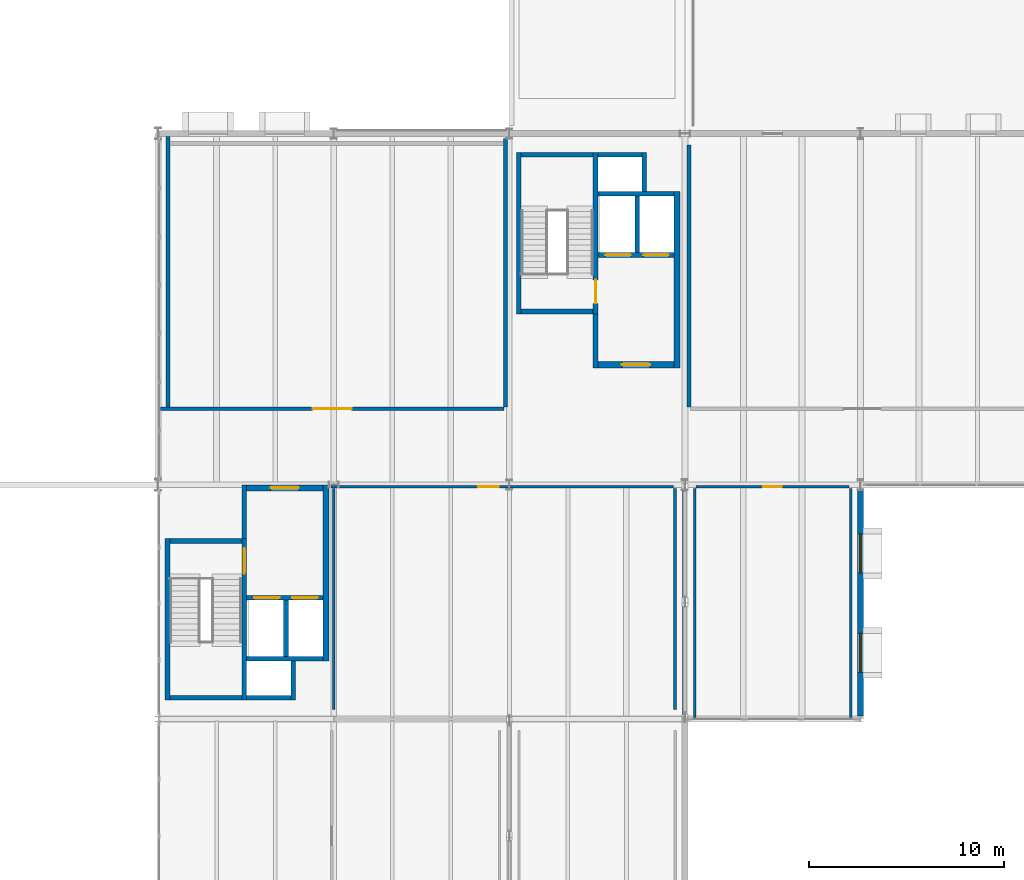
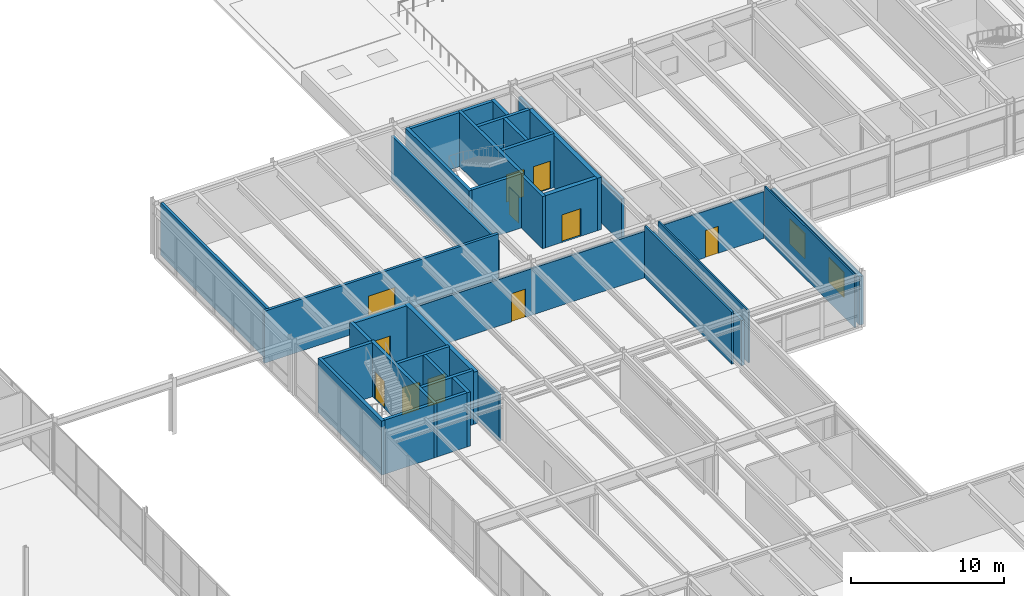
# One storey, part 108 of 115: 36 walls, 11 doors, 2 windows, 13 openings.
"""IFC4 building model written with IfcOpenShell, lengths in metres."""

from ifc_helpers import new_model, si_unit, direction, frame, frame_2d, origin, place, context, subcontext, project, spatial, rectangle, extrude, material, layer, layer_set, type_object, element, fill, save


model = new_model("IFC4")

# Units and contexts
model_context = context("Model", 3, precision=1e-05, world=origin(), true_north=direction((0.0, 1.0)))
body_context = subcontext(model_context, "Body", "Model", "MODEL_VIEW")
ifc_project = project(units=[si_unit("LENGTHUNIT", "METRE"), si_unit("AREAUNIT", "SQUARE_METRE"), si_unit("VOLUMEUNIT", "CUBIC_METRE"), si_unit("PLANEANGLEUNIT", "RADIAN"), si_unit("MASSUNIT", "GRAM", prefix="KILO")], contexts=[model_context])

# Site, building, storey
site_placement = place(None, origin())
site = spatial("IfcSite", under=ifc_project, at=site_placement, CompositionType="ELEMENT")
building_placement = place(site_placement, origin())
building = spatial("IfcBuilding", under=site, at=building_placement, Name="Montelvaro Courts of Justice", CompositionType="ELEMENT")
storey_placement = place(building_placement, frame((0.0, 0.0, 9.89990234375)))
storey = spatial("IfcBuildingStorey", under=building, at=storey_placement, Name="L02", CompositionType="ELEMENT", Elevation=9.89990234375)

# Wall
ifc_material_1 = material(Name="Gypsum board on metal stud")
ifc_layer_1 = layer(ifc_material_1, 0.14990234375)
ifc_layer_set_1 = layer_set([ifc_layer_1], Name="Gypsum board on metal stud")
wall_type_1 = type_object("IfcWallType", Name="ChambersPartition_150", PredefinedType="PARTITIONING", material=ifc_layer_set_1)
wall_1_placement = place(storey_placement, frame((108.0, 66.47998046875, 0.0), z_axis=(0.0, 0.0, 1.0), x_axis=(0.0, 1.0, 0.0)))
element("IfcWall", 1, at=wall_1_placement, inside=storey, type_object=wall_type_1, Name="Interior Partition IW-04 (L02)", PredefinedType="PARTITIONING", context=body_context, shape_type="SweptSolid", body=[
    extrude(rectangle(XDim=11.340087890625, YDim=0.14990234375, at=frame_2d((5.669921875, 0.0))), origin(), (0.0, 0.0, 1.0), 3.705078125),
])

# Wall, opening, door
wall_2_placement = place(storey_placement, frame((107.847900390625, 77.89990234375, 0.0), z_axis=(0.0, 0.0, 1.0), x_axis=(1.0, 0.0, 0.0)))
wall_2 = element("IfcWall", 2, at=wall_2_placement, inside=storey, type_object=wall_type_1, Name="Interior Partition IW-04 (L02)", PredefinedType="PARTITIONING", context=body_context, shape_type="SweptSolid", body=[
    extrude(rectangle(XDim=17.572021484375, YDim=0.14990234375, at=frame_2d((8.7861328125, 0.0))), origin(), (0.0, 0.0, 1.0), 3.705078125),
])
opening_1_placement = place(wall_2_placement, frame((7.55810546875, 0.0, 0.0)))
opening_1 = element("IfcOpeningElement", 3, at=opening_1_placement, cuts=wall_2, Name="Opening D-L02-089", PredefinedType="OPENING", context=body_context, shape_type="SweptSolid", body=[
    extrude(rectangle(XDim=1.050048828125, YDim=2.25, at=frame_2d((0.52490234375, 1.125))), frame((0.0, 0.08984375, 0.0), z_axis=(0.0, -1.0, 0.0), x_axis=(1.0, 0.0, 0.0)), (0.0, 0.0, 1.0), 0.1796875),
])
ifc_material_2 = material(Name="Acoustic oak timber veneer", Category="wood")
door_type_1 = type_object("IfcDoorType", Name="ChamberDoor_105x225", OperationType="NOTDEFINED", PredefinedType="DOOR", material=ifc_material_2)
door_1_placement = place(opening_1_placement, frame((1.050048828125, 0.0, 0.0), z_axis=(0.0, 0.0, 1.0), x_axis=(-1.0, 0.0, 0.0)))
door_1 = element("IfcDoor", 4, at=door_1_placement, inside=storey, type_object=door_type_1, Name="Interior Door D-L02-089 (Witness Waiting Lounge L02)", OperationType="SINGLE_SWING_LEFT", OverallHeight=2.25, OverallWidth=1.050048828125, PredefinedType="DOOR", context=body_context, shape_type="SweptSolid", body=[
    extrude(rectangle(XDim=1.050048828125, YDim=2.25, at=frame_2d((0.52490234375, 1.125))), frame((0.0, 0.02490234375, 0.0), z_axis=(0.0, -1.0, 0.0), x_axis=(1.0, 0.0, 0.0)), (0.0, 0.0, 1.0), 0.050048828125),
])
fill(opening_1, door_1)

# Wall
wall_3_placement = place(storey_placement, frame((125.5, 77.820068359375, 0.0), z_axis=(0.0, 0.0, 1.0), x_axis=(0.0, -1.0, 0.0)))
element("IfcWall", 5, at=wall_3_placement, inside=storey, type_object=wall_type_1, Name="Interior Partition IW-04 (L02)", PredefinedType="PARTITIONING", context=body_context, shape_type="SweptSolid", body=[
    extrude(rectangle(XDim=11.340087890625, YDim=0.14990234375, at=frame_2d((5.669921875, 0.0))), origin(), (0.0, 0.0, 1.0), 4.14013671875),
])

# Wall, opening, door
ifc_material_3 = material(Name="Concrete C40/50", Category="concrete")
ifc_layer_2 = layer(ifc_material_3, 0.320068359375)
ifc_layer_set_2 = layer_set([ifc_layer_2], Name="Concrete C40/50")
wall_type_2 = type_object("IfcWallType", Name="CoreWall_320", PredefinedType="SHEAR", material=ifc_layer_set_2)
wall_4_placement = place(storey_placement, frame((121.5400390625, 84.159912109375, 0.0), z_axis=(0.0, 0.0, 1.0), x_axis=(1.0, 0.0, 0.0)))
wall_4 = element("IfcWall", 6, at=wall_4_placement, inside=storey, type_object=wall_type_2, Name="Core Shear Wall CW-02 K3-S (L02)", PredefinedType="SHEAR", context=body_context, shape_type="SweptSolid", body=[
    extrude(rectangle(XDim=3.89990234375, YDim=0.320068359375, at=frame_2d((1.949951171875, 0.0))), origin(), (0.0, 0.0, 1.0), 4.16015625),
])
opening_2_placement = place(wall_4_placement, frame((1.22509765625, 0.0, 0.0)))
opening_2 = element("IfcOpeningElement", 7, at=opening_2_placement, cuts=wall_4, Name="Opening DL-L02-K3", PredefinedType="OPENING", context=body_context, shape_type="SweptSolid", body=[
    extrude(rectangle(XDim=1.449951171875, YDim=2.199951171875, at=frame_2d((0.72509765625, 1.10009765625))), frame((0.0, 0.1748046875, 0.0), z_axis=(0.0, -1.0, 0.0), x_axis=(1.0, 0.0, 0.0)), (0.0, 0.0, 1.0), 0.349853515625),
])
ifc_material_4 = material(Name="Galvanised steel S355 security door", Category="steel")
door_type_2 = type_object("IfcDoorType", Name="LobbyFireDoor_145x220", OperationType="DOUBLE_DOOR_SINGLE_SWING", PredefinedType="DOOR", material=ifc_material_4)
door_2_placement = place(opening_2_placement, origin())
door_2 = element("IfcDoor", 8, at=door_2_placement, inside=storey, type_object=door_type_2, Name="Core Lobby Fire Door DL-L02-K3", OperationType="DOUBLE_DOOR_SINGLE_SWING", OverallHeight=2.199951171875, OverallWidth=1.449951171875, PredefinedType="DOOR", context=body_context, shape_type="SweptSolid", body=[
    extrude(rectangle(XDim=1.449951171875, YDim=2.199951171875, at=frame_2d((0.72509765625, 1.10009765625))), frame((0.0, 0.02490234375, 0.0), z_axis=(0.0, -1.0, 0.0), x_axis=(1.0, 0.0, 0.0)), (0.0, 0.0, 1.0), 0.050048828125),
])
fill(opening_2, door_2)

# Wall
wall_5_placement = place(storey_placement, frame((125.60009765625, 84.0, 0.0), z_axis=(0.0, 0.0, 1.0), x_axis=(0.0, 1.0, 0.0)))
element("IfcWall", 9, at=wall_5_placement, inside=storey, type_object=wall_type_2, Name="Core Shear Wall CW-02 K3-E (L02)", PredefinedType="SHEAR", context=body_context, shape_type="SweptSolid", body=[
    extrude(rectangle(XDim=9.0400390625, YDim=0.320068359375, at=frame_2d((4.52001953125, 0.0))), origin(), (0.0, 0.0, 1.0), 4.16015625),
])

# Wall, opening, door
wall_6_placement = place(storey_placement, frame((103.5400390625, 77.840087890625, 0.0), z_axis=(0.0, 0.0, 1.0), x_axis=(1.0, 0.0, 0.0)))
wall_6 = element("IfcWall", 10, at=wall_6_placement, inside=storey, type_object=wall_type_2, Name="Core Shear Wall CW-02 K4-N (L02)", PredefinedType="SHEAR", context=body_context, shape_type="SweptSolid", body=[
    extrude(rectangle(XDim=3.89990234375, YDim=0.320068359375, at=frame_2d((1.949951171875, 0.0))), origin(), (0.0, 0.0, 1.0), 4.16015625),
])
opening_3_placement = place(wall_6_placement, frame((1.22509765625, 0.0, 0.0)))
opening_3 = element("IfcOpeningElement", 11, at=opening_3_placement, cuts=wall_6, Name="Opening DL-L02-K4", PredefinedType="OPENING", context=body_context, shape_type="SweptSolid", body=[
    extrude(rectangle(XDim=1.449951171875, YDim=2.199951171875, at=frame_2d((0.72509765625, 1.10009765625))), frame((0.0, 0.1748046875, 0.0), z_axis=(0.0, -1.0, 0.0), x_axis=(1.0, 0.0, 0.0)), (0.0, 0.0, 1.0), 0.349853515625),
])
door_3_placement = place(opening_3_placement, origin())
door_3 = element("IfcDoor", 12, at=door_3_placement, inside=storey, type_object=door_type_2, Name="Core Lobby Fire Door DL-L02-K4", OperationType="DOUBLE_DOOR_SINGLE_SWING", OverallHeight=2.199951171875, OverallWidth=1.449951171875, PredefinedType="DOOR", context=body_context, shape_type="SweptSolid", body=[
    extrude(rectangle(XDim=1.449951171875, YDim=2.199951171875, at=frame_2d((0.72509765625, 1.10009765625))), frame((0.0, 0.02490234375, 0.0), z_axis=(0.0, -1.0, 0.0), x_axis=(1.0, 0.0, 0.0)), (0.0, 0.0, 1.0), 0.050048828125),
])
fill(opening_3, door_3)

# Wall
wall_7_placement = place(storey_placement, frame((107.60009765625, 68.9599609375, 0.0), z_axis=(0.0, 0.0, 1.0), x_axis=(0.0, 1.0, 0.0)))
element("IfcWall", 13, at=wall_7_placement, inside=storey, type_object=wall_type_2, Name="Core Shear Wall CW-02 K4-E (L02)", PredefinedType="SHEAR", context=body_context, shape_type="SweptSolid", body=[
    extrude(rectangle(XDim=9.0400390625, YDim=0.320068359375, at=frame_2d((4.52001953125, 0.0))), origin(), (0.0, 0.0, 1.0), 4.16015625),
])

# Wall, opening, door
ifc_material_5 = material(Name="Gypsum acoustic double stud with mineral wool")
ifc_layer_3 = layer(ifc_material_5, 0.199951171875)
ifc_layer_set_3 = layer_set([ifc_layer_3], Name="Gypsum acoustic double stud with mineral wool")
wall_type_3 = type_object("IfcWallType", Name="CourtAcousticWall_200", PredefinedType="PARTITIONING", material=ifc_layer_set_3)
wall_8_placement = place(storey_placement, frame((116.719970703125, 81.89990234375, 0.0), z_axis=(0.0, 0.0, 1.0), x_axis=(-1.0, 0.0, 0.0)))
wall_8 = element("IfcWall", 14, at=wall_8_placement, inside=storey, type_object=wall_type_3, Name="Interior Partition IW-01 (L02)", PredefinedType="PARTITIONING", context=body_context, shape_type="SweptSolid", body=[
    extrude(rectangle(XDim=17.594970703125, YDim=0.199951171875, at=frame_2d((8.79736328125, 0.0))), origin(), (0.0, 0.0, 1.0), 4.14013671875),
])
opening_4_placement = place(wall_8_placement, frame((7.797119140625, 0.0, 0.0)))
opening_4 = element("IfcOpeningElement", 15, at=opening_4_placement, cuts=wall_8, Name="Opening D-L02-086", PredefinedType="OPENING", context=body_context, shape_type="SweptSolid", body=[
    extrude(rectangle(XDim=2.0, YDim=2.60009765625, at=frame_2d((1.0, 1.300048828125))), frame((0.0, 0.11474609375, 0.0), z_axis=(0.0, -1.0, 0.0), x_axis=(1.0, 0.0, 0.0)), (0.0, 0.0, 1.0), 0.229736328125),
])
door_type_3 = type_object("IfcDoorType", Name="CourtDoor_200x260", OperationType="DOUBLE_DOOR_SINGLE_SWING", PredefinedType="DOOR", material=ifc_material_2)
door_4_placement = place(opening_4_placement, origin())
door_4 = element("IfcDoor", 16, at=door_4_placement, inside=storey, type_object=door_type_3, Name="Interior Door D-L02-086 (Civil First Instance Courtroom 07)", OperationType="DOUBLE_DOOR_SINGLE_SWING", OverallHeight=2.60009765625, OverallWidth=2.0, PredefinedType="DOOR", context=body_context, shape_type="SweptSolid", body=[
    extrude(rectangle(XDim=2.0, YDim=2.60009765625, at=frame_2d((1.0, 1.300048828125))), frame((0.0, 0.02490234375, 0.0), z_axis=(0.0, -1.0, 0.0), x_axis=(1.0, 0.0, 0.0)), (0.0, 0.0, 1.0), 0.050048828125),
])
fill(opening_4, door_4)

# Walls
wall_9_placement = place(storey_placement, frame((99.5, 81.97998046875, 0.0), z_axis=(0.0, 0.0, 1.0), x_axis=(0.0, 1.0, 0.0)))
element("IfcWall", 17, at=wall_9_placement, inside=storey, type_object=wall_type_3, Name="Interior Partition IW-01 (L02)", PredefinedType="PARTITIONING", context=body_context, shape_type="SweptSolid", body=[
    extrude(rectangle(XDim=13.875, YDim=0.199951171875, at=frame_2d((6.9375, 0.0))), origin(), (0.0, 0.0, 1.0), 4.14013671875),
])
wall_10_placement = place(storey_placement, frame((116.800048828125, 95.751953125, 0.0), z_axis=(0.0, 0.0, 1.0), x_axis=(0.0, -1.0, 0.0)))
element("IfcWall", 18, at=wall_10_placement, inside=storey, type_object=wall_type_3, Name="Interior Partition IW-01 (L02)", PredefinedType="PARTITIONING", context=body_context, shape_type="SweptSolid", body=[
    extrude(rectangle(XDim=13.77197265625, YDim=0.199951171875, at=frame_2d((6.885986328125, 0.0))), origin(), (0.0, 0.0, 1.0), 3.4951171875),
])
wall_11_placement = place(storey_placement, frame((126.199951171875, 81.97998046875, 0.0), z_axis=(0.0, 0.0, 1.0), x_axis=(0.0, 1.0, 0.0)))
element("IfcWall", 19, at=wall_11_placement, inside=storey, type_object=wall_type_3, Name="Interior Partition IW-01 (L02)", PredefinedType="PARTITIONING", context=body_context, shape_type="SweptSolid", body=[
    extrude(rectangle(XDim=13.43994140625, YDim=0.199951171875, at=frame_2d((6.719970703125, 0.0))), origin(), (0.0, 0.0, 1.0), 3.505126953125),
])

# Wall, openings, windows
ifc_material_6 = material(Name="White mineral precast concrete C45/55", Category="concrete")
ifc_layer_4 = layer(ifc_material_6, 0.300048828125)
ifc_layer_set_4 = layer_set([ifc_layer_4], Name="White mineral precast concrete C45/55")
wall_type_4 = type_object("IfcWallType", Name="ExtWall_GFRC_300", PredefinedType="SOLIDWALL", material=ifc_layer_set_4)
wall_12_placement = place(storey_placement, frame((135.0, 66.14794921875, 0.0), z_axis=(0.0, 0.0, 1.0), x_axis=(0.0, 1.0, 0.0)))
wall_12 = element("IfcWall", 20, at=wall_12_placement, inside=storey, type_object=wall_type_4, Name="Exterior Facade Wall EW-02 (L02)", PredefinedType="SOLIDWALL", context=body_context, shape_type="SweptSolid", body=[
    extrude(rectangle(XDim=11.5791015625, YDim=0.300048828125, at=frame_2d((5.78955078125, 0.0))), origin(), (0.0, 0.0, 1.0), 3.84521484375),
])
opening_5_placement = place(wall_12_placement, frame((2.241943359375, 0.0, 0.800048828125)))
opening_5 = element("IfcOpeningElement", 21, at=opening_5_placement, cuts=wall_12, Name="Opening WE-11", PredefinedType="OPENING", context=body_context, shape_type="SweptSolid", body=[
    extrude(rectangle(XDim=2.0, YDim=2.0, at=frame_2d((1.0, 1.0))), frame((0.0, 0.1650390625, 0.0), z_axis=(0.0, -1.0, 0.0), x_axis=(1.0, 0.0, 0.0)), (0.0, 0.0, 1.0), 0.329833984375),
])
opening_6_placement = place(wall_12_placement, frame((7.3369140625, 0.0, 0.800048828125)))
opening_6 = element("IfcOpeningElement", 22, at=opening_6_placement, cuts=wall_12, Name="Opening WE-11", PredefinedType="OPENING", context=body_context, shape_type="SweptSolid", body=[
    extrude(rectangle(XDim=2.0, YDim=2.0, at=frame_2d((1.0, 1.0))), frame((0.0, 0.1650390625, 0.0), z_axis=(0.0, -1.0, 0.0), x_axis=(1.0, 0.0, 0.0)), (0.0, 0.0, 1.0), 0.329833984375),
])
ifc_material_7 = material(Name="Low-E solar control double glazing", Category="glass")
window_type = type_object("IfcWindowType", Name="Win_Sq_200x200", PartitioningType="SINGLE_PANEL", PredefinedType="WINDOW", material=ifc_material_7)
window_1_placement = place(opening_5_placement, origin())
window_1 = element("IfcWindow", 23, at=window_1_placement, inside=storey, type_object=window_type, Name="Window W-L02-095", OverallHeight=2.0, OverallWidth=2.0, PartitioningType="SINGLE_PANEL", PredefinedType="WINDOW", context=body_context, shape_type="SweptSolid", body=[
    extrude(rectangle(XDim=2.0, YDim=2.0, at=frame_2d((1.0, 1.0))), frame((0.0, 0.030029296875, 0.0), z_axis=(0.0, -1.0, 0.0), x_axis=(1.0, 0.0, 0.0)), (0.0, 0.0, 1.0), 0.06005859375),
])
fill(opening_5, window_1)
window_2_placement = place(opening_6_placement, origin())
window_2 = element("IfcWindow", 24, at=window_2_placement, inside=storey, type_object=window_type, Name="Window W-L02-096", OverallHeight=2.0, OverallWidth=2.0, PartitioningType="SINGLE_PANEL", PredefinedType="WINDOW", context=body_context, shape_type="SweptSolid", body=[
    extrude(rectangle(XDim=2.0, YDim=2.0, at=frame_2d((1.0, 1.0))), frame((0.0, 0.030029296875, 0.0), z_axis=(0.0, -1.0, 0.0), x_axis=(1.0, 0.0, 0.0)), (0.0, 0.0, 1.0), 0.06005859375),
])
fill(opening_6, window_2)

# Wall
ifc_layer_5 = layer(ifc_material_1, 0.1201171875)
ifc_layer_set_5 = layer_set([ifc_layer_5], Name="Gypsum board on metal stud")
wall_type_5 = type_object("IfcWallType", Name="OfficePartition_120", PredefinedType="PARTITIONING", material=ifc_layer_set_5)
wall_13_placement = place(storey_placement, frame((126.5, 66.074951171875, 0.0), z_axis=(0.0, 0.0, 1.0), x_axis=(0.0, 1.0, 0.0)))
element("IfcWall", 25, at=wall_13_placement, inside=storey, type_object=wall_type_5, Name="Interior Partition IW-05 (L02)", PredefinedType="PARTITIONING", context=body_context, shape_type="SweptSolid", body=[
    extrude(rectangle(XDim=11.7451171875, YDim=0.1201171875, at=frame_2d((5.87255859375, 0.0))), origin(), (0.0, 0.0, 1.0), 4.14013671875),
])

# Wall, opening, door
wall_14_placement = place(storey_placement, frame((126.580078125, 77.89990234375, 0.0), z_axis=(0.0, 0.0, 1.0), x_axis=(1.0, 0.0, 0.0)))
wall_14 = element("IfcWall", 26, at=wall_14_placement, inside=storey, type_object=wall_type_5, Name="Interior Partition IW-05 (L02)", PredefinedType="PARTITIONING", context=body_context, shape_type="SweptSolid", body=[
    extrude(rectangle(XDim=7.83984375, YDim=0.1201171875, at=frame_2d((3.919921875, 0.0))), origin(), (0.0, 0.0, 1.0), 3.705078125),
])
opening_7_placement = place(wall_14_placement, frame((3.445068359375, 0.0, 0.0)))
opening_7 = element("IfcOpeningElement", 27, at=opening_7_placement, cuts=wall_14, Name="Opening D-L02-090", PredefinedType="OPENING", context=body_context, shape_type="SweptSolid", body=[
    extrude(rectangle(XDim=0.949951171875, YDim=2.14990234375, at=frame_2d((0.47509765625, 1.074951171875))), frame((0.0, 0.074951171875, 0.0), z_axis=(0.0, -1.0, 0.0), x_axis=(1.0, 0.0, 0.0)), (0.0, 0.0, 1.0), 0.14990234375),
])
door_type_4 = type_object("IfcDoorType", Name="OfficeDoor_095x215", OperationType="NOTDEFINED", PredefinedType="DOOR", material=ifc_material_2)
door_5_placement = place(opening_7_placement, origin())
door_5 = element("IfcDoor", 28, at=door_5_placement, inside=storey, type_object=door_type_4, Name="Interior Door D-L02-090 (Commercial Mediation Waiting Room L02)", OperationType="SINGLE_SWING_RIGHT", OverallHeight=2.14990234375, OverallWidth=0.949951171875, PredefinedType="DOOR", context=body_context, shape_type="SweptSolid", body=[
    extrude(rectangle(XDim=0.949951171875, YDim=2.14990234375, at=frame_2d((0.47509765625, 1.074951171875))), frame((0.0, 0.02490234375, 0.0), z_axis=(0.0, -1.0, 0.0), x_axis=(1.0, 0.0, 0.0)), (0.0, 0.0, 1.0), 0.050048828125),
])
fill(opening_7, door_5)

# Walls
wall_15_placement = place(storey_placement, frame((134.5, 77.820068359375, 0.0), z_axis=(0.0, 0.0, 1.0), x_axis=(0.0, -1.0, 0.0)))
element("IfcWall", 29, at=wall_15_placement, inside=storey, type_object=wall_type_5, Name="Interior Partition IW-05 (L02)", PredefinedType="PARTITIONING", context=body_context, shape_type="SweptSolid", body=[
    extrude(rectangle(XDim=11.7451171875, YDim=0.1201171875, at=frame_2d((5.87255859375, 0.0))), origin(), (0.0, 0.0, 1.0), 4.14013671875),
])
ifc_material_8 = material(Name="Concrete C35/45", Category="concrete")
ifc_layer_6 = layer(ifc_material_8, 0.239990234375)
ifc_layer_set_6 = layer_set([ifc_layer_6], Name="Concrete C35/45")
wall_type_6 = type_object("IfcWallType", Name="ShaftWall_240", PredefinedType="SHEAR", material=ifc_layer_set_6)
wall_16_placement = place(storey_placement, frame((117.47998046875, 86.760009765625, 0.0), z_axis=(0.0, 0.0, 1.0), x_axis=(0.0, 1.0, 0.0)))
element("IfcWall", 30, at=wall_16_placement, inside=storey, type_object=wall_type_6, Name="Protected Stair Structural Wall ST-K3-W (L02)", PredefinedType="SHEAR", context=body_context, shape_type="SweptSolid", body=[
    extrude(rectangle(XDim=8.280029296875, YDim=0.239990234375, at=frame_2d((4.14013671875, 0.0))), origin(), (0.0, 0.0, 1.0), 4.31005859375),
])

# Wall, opening, door
wall_17_placement = place(storey_placement, frame((121.419921875, 86.760009765625, 0.0), z_axis=(0.0, 0.0, 1.0), x_axis=(0.0, 1.0, 0.0)))
wall_17 = element("IfcWall", 31, at=wall_17_placement, inside=storey, type_object=wall_type_6, Name="Protected Stair Structural Wall ST-K3-E (L02)", PredefinedType="SHEAR", context=body_context, shape_type="SweptSolid", body=[
    extrude(rectangle(XDim=8.280029296875, YDim=0.239990234375, at=frame_2d((4.14013671875, 0.0))), origin(), (0.0, 0.0, 1.0), 4.31005859375),
])
opening_8_placement = place(wall_17_placement, frame((0.5400390625, 0.0, 0.0)))
opening_8 = element("IfcOpeningElement", 32, at=opening_8_placement, cuts=wall_17, Name="Opening DS-L02-K3", PredefinedType="OPENING", context=body_context, shape_type="SweptSolid", body=[
    extrude(rectangle(XDim=1.199951171875, YDim=2.14990234375, at=frame_2d((0.60009765625, 1.074951171875))), frame((0.0, 0.134765625, 0.0), z_axis=(0.0, -1.0, 0.0), x_axis=(1.0, 0.0, 0.0)), (0.0, 0.0, 1.0), 0.269775390625),
])
door_type_5 = type_object("IfcDoorType", Name="StairFireDoor_120x215", OperationType="NOTDEFINED", PredefinedType="DOOR", material=ifc_material_4)
door_6_placement = place(opening_8_placement, frame((1.199951171875, 0.0, 0.0), z_axis=(0.0, 0.0, 1.0), x_axis=(-1.0, 0.0, 0.0)))
door_6 = element("IfcDoor", 33, at=door_6_placement, inside=storey, type_object=door_type_5, Name="Protected Stair Fire Door DS-L02-K3", OperationType="SINGLE_SWING_RIGHT", OverallHeight=2.14990234375, OverallWidth=1.199951171875, PredefinedType="DOOR", context=body_context, shape_type="SweptSolid", body=[
    extrude(rectangle(XDim=1.199951171875, YDim=2.14990234375, at=frame_2d((0.60009765625, 1.074951171875))), frame((0.0, 0.02490234375, 0.0), z_axis=(0.0, -1.0, 0.0), x_axis=(1.0, 0.0, 0.0)), (0.0, 0.0, 1.0), 0.050048828125),
])
fill(opening_8, door_6)

# Walls
for number, where, z_axis, x_axis, name in (
    (34, (117.60009765625, 86.8798828125, 0.0), (0.0, 0.0, 1.0), (1.0, 0.0, 0.0), "Protected Stair Structural Wall ST-K3-S (L02)"),
    (35, (117.60009765625, 94.919921875, 0.0), (0.0, 0.0, 1.0), (1.0, 0.0, 0.0), "Protected Stair Structural Wall ST-K3-N (L02)"),
):
    element("IfcWall", number, at=place(storey_placement, frame(where, z_axis=z_axis, x_axis=x_axis)), inside=storey, type_object=wall_type_6, Name=name, PredefinedType="SHEAR", context=body_context, shape_type="SweptSolid", body=[
        extrude(rectangle(XDim=3.699951171875, YDim=0.239990234375, at=frame_2d((1.85009765625, 0.0))), origin(), (0.0, 0.0, 1.0), 4.31005859375),
    ])
wall_18_placement = place(storey_placement, frame((99.47998046875, 66.9599609375, 0.0), z_axis=(0.0, 0.0, 1.0), x_axis=(0.0, 1.0, 0.0)))
element("IfcWall", 36, at=wall_18_placement, inside=storey, type_object=wall_type_6, Name="Protected Stair Structural Wall ST-K4-W (L02)", PredefinedType="SHEAR", context=body_context, shape_type="SweptSolid", body=[
    extrude(rectangle(XDim=8.280029296875, YDim=0.239990234375, at=frame_2d((4.14013671875, 0.0))), origin(), (0.0, 0.0, 1.0), 4.31005859375),
])

# Wall, opening, door
wall_19_placement = place(storey_placement, frame((103.419921875, 66.9599609375, 0.0), z_axis=(0.0, 0.0, 1.0), x_axis=(0.0, 1.0, 0.0)))
wall_19 = element("IfcWall", 37, at=wall_19_placement, inside=storey, type_object=wall_type_6, Name="Protected Stair Structural Wall ST-K4-E (L02)", PredefinedType="SHEAR", context=body_context, shape_type="SweptSolid", body=[
    extrude(rectangle(XDim=8.280029296875, YDim=0.239990234375, at=frame_2d((4.14013671875, 0.0))), origin(), (0.0, 0.0, 1.0), 4.31005859375),
])
opening_9_placement = place(wall_19_placement, frame((6.489990234375, 0.0, 0.0)))
opening_9 = element("IfcOpeningElement", 38, at=opening_9_placement, cuts=wall_19, Name="Opening DS-L02-K4", PredefinedType="OPENING", context=body_context, shape_type="SweptSolid", body=[
    extrude(rectangle(XDim=1.300048828125, YDim=2.199951171875, at=frame_2d((0.64990234375, 1.10009765625))), frame((0.0, 0.134765625, 0.0), z_axis=(0.0, -1.0, 0.0), x_axis=(1.0, 0.0, 0.0)), (0.0, 0.0, 1.0), 0.269775390625),
])
door_type_6 = type_object("IfcDoorType", Name="StairFireDoor_130x220", OperationType="NOTDEFINED", PredefinedType="DOOR", material=ifc_material_4)
door_7_placement = place(opening_9_placement, frame((1.300048828125, 0.0, 0.0), z_axis=(0.0, 0.0, 1.0), x_axis=(-1.0, 0.0, 0.0)))
door_7 = element("IfcDoor", 39, at=door_7_placement, inside=storey, type_object=door_type_6, Name="Protected Stair Fire Door DS-L02-K4", OperationType="SINGLE_SWING_LEFT", OverallHeight=2.199951171875, OverallWidth=1.300048828125, PredefinedType="DOOR", context=body_context, shape_type="SweptSolid", body=[
    extrude(rectangle(XDim=1.300048828125, YDim=2.199951171875, at=frame_2d((0.64990234375, 1.10009765625))), frame((0.0, 0.02490234375, 0.0), z_axis=(0.0, -1.0, 0.0), x_axis=(1.0, 0.0, 0.0)), (0.0, 0.0, 1.0), 0.050048828125),
])
fill(opening_9, door_7)

# Walls
for number, where, z_axis, x_axis, name in (
    (40, (99.60009765625, 67.080078125, 0.0), (0.0, 0.0, 1.0), (1.0, 0.0, 0.0), "Protected Stair Structural Wall ST-K4-S (L02)"),
    (41, (99.60009765625, 75.1201171875, 0.0), (0.0, 0.0, 1.0), (1.0, 0.0, 0.0), "Protected Stair Structural Wall ST-K4-N (L02)"),
):
    element("IfcWall", number, at=place(storey_placement, frame(where, z_axis=z_axis, x_axis=x_axis)), inside=storey, type_object=wall_type_6, Name=name, PredefinedType="SHEAR", context=body_context, shape_type="SweptSolid", body=[
        extrude(rectangle(XDim=3.699951171875, YDim=0.239990234375, at=frame_2d((1.85009765625, 0.0))), origin(), (0.0, 0.0, 1.0), 4.31005859375),
    ])
wall_20_placement = place(storey_placement, frame((121.419921875, 84.0, 0.0), z_axis=(0.0, 0.0, 1.0), x_axis=(0.0, 1.0, 0.0)))
element("IfcWall", 42, at=wall_20_placement, inside=storey, type_object=wall_type_6, Name="Core Lobby Structural Wall K3-W (L02)", PredefinedType="SHEAR", context=body_context, shape_type="SweptSolid", body=[
    extrude(rectangle(XDim=2.760009765625, YDim=0.239990234375, at=frame_2d((1.3798828125, 0.0))), origin(), (0.0, 0.0, 1.0), 4.16015625),
])

# Wall, openings, doors
wall_21_placement = place(storey_placement, frame((121.5400390625, 89.780029296875, 0.0), z_axis=(0.0, 0.0, 1.0), x_axis=(1.0, 0.0, 0.0)))
wall_21 = element("IfcWall", 43, at=wall_21_placement, inside=storey, type_object=wall_type_6, Name="Lift Shaft Bank Wall K3 (L02)", PredefinedType="SHEAR", context=body_context, shape_type="SweptSolid", body=[
    extrude(rectangle(XDim=3.89990234375, YDim=0.239990234375, at=frame_2d((1.949951171875, 0.0))), origin(), (0.0, 0.0, 1.0), 4.31005859375),
])
opening_10_placement = place(wall_21_placement, frame((0.385009765625, 0.0, 0.0)))
opening_10 = element("IfcOpeningElement", 44, at=opening_10_placement, cuts=wall_21, Name="Opening LD-LC-01-L02", PredefinedType="OPENING", context=body_context, shape_type="SweptSolid", body=[
    extrude(rectangle(XDim=1.300048828125, YDim=2.199951171875, at=frame_2d((0.64990234375, 1.10009765625))), frame((0.0, 0.134765625, 0.0), z_axis=(0.0, -1.0, 0.0), x_axis=(1.0, 0.0, 0.0)), (0.0, 0.0, 1.0), 0.269775390625),
])
opening_11_placement = place(wall_21_placement, frame((2.3349609375, 0.0, 0.0)))
opening_11 = element("IfcOpeningElement", 45, at=opening_11_placement, cuts=wall_21, Name="Opening LD-LG-01-L02", PredefinedType="OPENING", context=body_context, shape_type="SweptSolid", body=[
    extrude(rectangle(XDim=1.300048828125, YDim=2.199951171875, at=frame_2d((0.64990234375, 1.10009765625))), frame((0.0, 0.134765625, 0.0), z_axis=(0.0, -1.0, 0.0), x_axis=(1.0, 0.0, 0.0)), (0.0, 0.0, 1.0), 0.269775390625),
])
door_type_7 = type_object("IfcDoorType", Name="LiftDoor_130x220", OperationType="DOUBLE_DOOR_SLIDING", PredefinedType="DOOR", material=ifc_material_4)
door_8_placement = place(opening_10_placement, origin())
door_8 = element("IfcDoor", 46, at=door_8_placement, inside=storey, type_object=door_type_7, Name="Lift Landing Sliding Door LD-LC-01-L02", OperationType="DOUBLE_DOOR_SLIDING", OverallHeight=2.199951171875, OverallWidth=1.300048828125, PredefinedType="DOOR", context=body_context, shape_type="SweptSolid", body=[
    extrude(rectangle(XDim=1.300048828125, YDim=2.199951171875, at=frame_2d((0.64990234375, 1.10009765625))), frame((0.0, 0.02490234375, 0.0), z_axis=(0.0, -1.0, 0.0), x_axis=(1.0, 0.0, 0.0)), (0.0, 0.0, 1.0), 0.050048828125),
])
fill(opening_10, door_8)
door_9_placement = place(opening_11_placement, origin())
door_9 = element("IfcDoor", 47, at=door_9_placement, inside=storey, type_object=door_type_7, Name="Lift Landing Sliding Door LD-LG-01-L02", OperationType="DOUBLE_DOOR_SLIDING", OverallHeight=2.199951171875, OverallWidth=1.300048828125, PredefinedType="DOOR", context=body_context, shape_type="SweptSolid", body=[
    extrude(rectangle(XDim=1.300048828125, YDim=2.199951171875, at=frame_2d((0.64990234375, 1.10009765625))), frame((0.0, 0.02490234375, 0.0), z_axis=(0.0, -1.0, 0.0), x_axis=(1.0, 0.0, 0.0)), (0.0, 0.0, 1.0), 0.050048828125),
])
fill(opening_11, door_9)

# Walls
wall_22_placement = place(storey_placement, frame((121.5400390625, 92.919921875, 0.0), z_axis=(0.0, 0.0, 1.0), x_axis=(1.0, 0.0, 0.0)))
element("IfcWall", 48, at=wall_22_placement, inside=storey, type_object=wall_type_6, Name="Lift Shaft Back Wall K3 (L02)", PredefinedType="SHEAR", context=body_context, shape_type="SweptSolid", body=[
    extrude(rectangle(XDim=3.89990234375, YDim=0.239990234375, at=frame_2d((1.949951171875, 0.0))), origin(), (0.0, 0.0, 1.0), 4.31005859375),
])
wall_23_placement = place(storey_placement, frame((123.550048828125, 89.89990234375, 0.0), z_axis=(0.0, 0.0, 1.0), x_axis=(0.0, 1.0, 0.0)))
element("IfcWall", 49, at=wall_23_placement, inside=storey, type_object=wall_type_6, Name="Lift Shaft Divider Wall K3-LFD1 (L02)", PredefinedType="SHEAR", context=body_context, shape_type="SweptSolid", body=[
    extrude(rectangle(XDim=2.900146484375, YDim=0.239990234375, at=frame_2d((1.4501953125, 0.0))), origin(), (0.0, 0.0, 1.0), 4.31005859375),
])
wall_24_placement = place(storey_placement, frame((123.919921875, 93.0400390625, 0.0), z_axis=(0.0, 0.0, 1.0), x_axis=(0.0, 1.0, 0.0)))
element("IfcWall", 50, at=wall_24_placement, inside=storey, type_object=wall_type_6, Name="Service Riser East Shaft Wall K3 (L02)", PredefinedType="SHEAR", context=body_context, shape_type="SweptSolid", body=[
    extrude(rectangle(XDim=2.0, YDim=0.239990234375, at=frame_2d((1.0, 0.0))), origin(), (0.0, 0.0, 1.0), 4.31005859375),
])
wall_25_placement = place(storey_placement, frame((121.5400390625, 94.919921875, 0.0), z_axis=(0.0, 0.0, 1.0), x_axis=(1.0, 0.0, 0.0)))
element("IfcWall", 51, at=wall_25_placement, inside=storey, type_object=wall_type_6, Name="Service Riser North Shaft Wall K3 (L02)", PredefinedType="SHEAR", context=body_context, shape_type="SweptSolid", body=[
    extrude(rectangle(XDim=2.260009765625, YDim=0.239990234375, at=frame_2d((1.1298828125, 0.0))), origin(), (0.0, 0.0, 1.0), 4.31005859375),
])
wall_26_placement = place(storey_placement, frame((103.419921875, 75.239990234375, 0.0), z_axis=(0.0, 0.0, 1.0), x_axis=(0.0, 1.0, 0.0)))
element("IfcWall", 52, at=wall_26_placement, inside=storey, type_object=wall_type_6, Name="Core Lobby Structural Wall K4-W (L02)", PredefinedType="SHEAR", context=body_context, shape_type="SweptSolid", body=[
    extrude(rectangle(XDim=2.760009765625, YDim=0.239990234375, at=frame_2d((1.3798828125, 0.0))), origin(), (0.0, 0.0, 1.0), 4.16015625),
])

# Wall, openings, doors
wall_27_placement = place(storey_placement, frame((103.5400390625, 72.219970703125, 0.0), z_axis=(0.0, 0.0, 1.0), x_axis=(1.0, 0.0, 0.0)))
wall_27 = element("IfcWall", 53, at=wall_27_placement, inside=storey, type_object=wall_type_6, Name="Lift Shaft Bank Wall K4 (L02)", PredefinedType="SHEAR", context=body_context, shape_type="SweptSolid", body=[
    extrude(rectangle(XDim=3.89990234375, YDim=0.239990234375, at=frame_2d((1.949951171875, 0.0))), origin(), (0.0, 0.0, 1.0), 4.31005859375),
])
opening_12_placement = place(wall_27_placement, frame((0.385009765625, 0.0, 0.0)))
opening_12 = element("IfcOpeningElement", 54, at=opening_12_placement, cuts=wall_27, Name="Opening LD-LP-01-L02", PredefinedType="OPENING", context=body_context, shape_type="SweptSolid", body=[
    extrude(rectangle(XDim=1.300048828125, YDim=2.199951171875, at=frame_2d((0.64990234375, 1.10009765625))), frame((0.0, 0.134765625, 0.0), z_axis=(0.0, -1.0, 0.0), x_axis=(1.0, 0.0, 0.0)), (0.0, 0.0, 1.0), 0.269775390625),
])
opening_13_placement = place(wall_27_placement, frame((2.3349609375, 0.0, 0.0)))
opening_13 = element("IfcOpeningElement", 55, at=opening_13_placement, cuts=wall_27, Name="Opening LD-LP-02-L02", PredefinedType="OPENING", context=body_context, shape_type="SweptSolid", body=[
    extrude(rectangle(XDim=1.300048828125, YDim=2.199951171875, at=frame_2d((0.64990234375, 1.10009765625))), frame((0.0, 0.134765625, 0.0), z_axis=(0.0, -1.0, 0.0), x_axis=(1.0, 0.0, 0.0)), (0.0, 0.0, 1.0), 0.269775390625),
])
door_10_placement = place(opening_12_placement, origin())
door_10 = element("IfcDoor", 56, at=door_10_placement, inside=storey, type_object=door_type_7, Name="Lift Landing Sliding Door LD-LP-01-L02", OperationType="DOUBLE_DOOR_SLIDING", OverallHeight=2.199951171875, OverallWidth=1.300048828125, PredefinedType="DOOR", context=body_context, shape_type="SweptSolid", body=[
    extrude(rectangle(XDim=1.300048828125, YDim=2.199951171875, at=frame_2d((0.64990234375, 1.10009765625))), frame((0.0, 0.02490234375, 0.0), z_axis=(0.0, -1.0, 0.0), x_axis=(1.0, 0.0, 0.0)), (0.0, 0.0, 1.0), 0.050048828125),
])
fill(opening_12, door_10)
door_11_placement = place(opening_13_placement, origin())
door_11 = element("IfcDoor", 57, at=door_11_placement, inside=storey, type_object=door_type_7, Name="Lift Landing Sliding Door LD-LP-02-L02", OperationType="DOUBLE_DOOR_SLIDING", OverallHeight=2.199951171875, OverallWidth=1.300048828125, PredefinedType="DOOR", context=body_context, shape_type="SweptSolid", body=[
    extrude(rectangle(XDim=1.300048828125, YDim=2.199951171875, at=frame_2d((0.64990234375, 1.10009765625))), frame((0.0, 0.02490234375, 0.0), z_axis=(0.0, -1.0, 0.0), x_axis=(1.0, 0.0, 0.0)), (0.0, 0.0, 1.0), 0.050048828125),
])
fill(opening_13, door_11)

# Walls
wall_28_placement = place(storey_placement, frame((103.5400390625, 69.080078125, 0.0), z_axis=(0.0, 0.0, 1.0), x_axis=(1.0, 0.0, 0.0)))
element("IfcWall", 58, at=wall_28_placement, inside=storey, type_object=wall_type_6, Name="Lift Shaft Back Wall K4 (L02)", PredefinedType="SHEAR", context=body_context, shape_type="SweptSolid", body=[
    extrude(rectangle(XDim=3.89990234375, YDim=0.239990234375, at=frame_2d((1.949951171875, 0.0))), origin(), (0.0, 0.0, 1.0), 4.31005859375),
])
wall_29_placement = place(storey_placement, frame((105.550048828125, 69.199951171875, 0.0), z_axis=(0.0, 0.0, 1.0), x_axis=(0.0, 1.0, 0.0)))
element("IfcWall", 59, at=wall_29_placement, inside=storey, type_object=wall_type_6, Name="Lift Shaft Divider Wall K4-LFD1 (L02)", PredefinedType="SHEAR", context=body_context, shape_type="SweptSolid", body=[
    extrude(rectangle(XDim=2.900146484375, YDim=0.239990234375, at=frame_2d((1.4501953125, 0.0))), origin(), (0.0, 0.0, 1.0), 4.31005859375),
])
wall_30_placement = place(storey_placement, frame((105.919921875, 66.9599609375, 0.0), z_axis=(0.0, 0.0, 1.0), x_axis=(0.0, 1.0, 0.0)))
element("IfcWall", 60, at=wall_30_placement, inside=storey, type_object=wall_type_6, Name="Service Riser East Shaft Wall K4 (L02)", PredefinedType="SHEAR", context=body_context, shape_type="SweptSolid", body=[
    extrude(rectangle(XDim=2.0, YDim=0.239990234375, at=frame_2d((1.0, 0.0))), origin(), (0.0, 0.0, 1.0), 4.31005859375),
])
wall_31_placement = place(storey_placement, frame((103.5400390625, 67.080078125, 0.0), z_axis=(0.0, 0.0, 1.0), x_axis=(1.0, 0.0, 0.0)))
element("IfcWall", 61, at=wall_31_placement, inside=storey, type_object=wall_type_6, Name="Service Riser South Shaft Wall K4 (L02)", PredefinedType="SHEAR", context=body_context, shape_type="SweptSolid", body=[
    extrude(rectangle(XDim=2.260009765625, YDim=0.239990234375, at=frame_2d((1.1298828125, 0.0))), origin(), (0.0, 0.0, 1.0), 4.31005859375),
])
wall_32_placement = place(storey_placement, frame((126.0, 66.008056640625, 0.0), z_axis=(0.0, 0.0, 1.0), x_axis=(0.0, 1.0, 0.0)))
element("IfcWall", 62, at=wall_32_placement, inside=storey, type_object=wall_type_6, Name="Enclosed Braced Frame Structural Wall CBF3 (L02)", PredefinedType="SHEAR", context=body_context, shape_type="SweptSolid", body=[
    extrude(rectangle(XDim=11.718994140625, YDim=0.239990234375, at=frame_2d((5.859375, 0.0))), origin(), (0.0, 0.0, 1.0), 3.59521484375),
])

save(model, "model.ifc")
